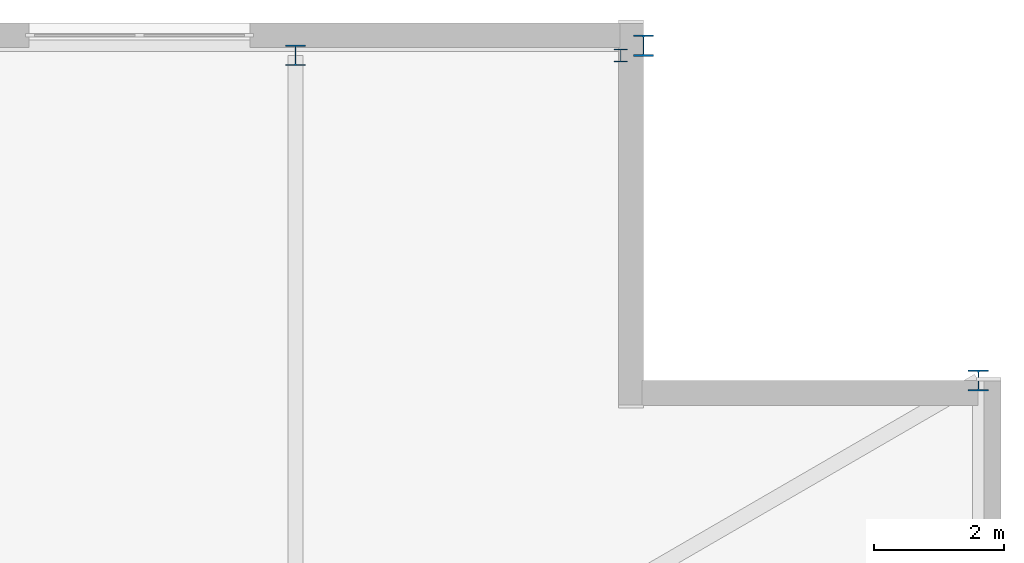
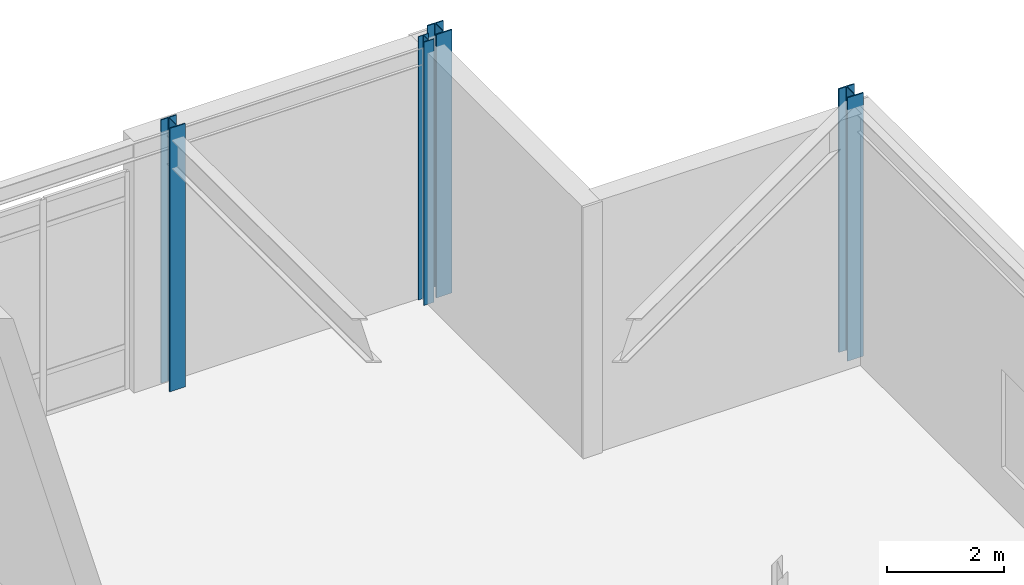
# One storey, part 6 of 14: 4 columns.
"""IFC4 building model written with IfcOpenShell, lengths in metres."""

from ifc_helpers import new_model, si_unit, direction, frame, origin, origin_2d, place, context, subcontext, project, spatial, i_section, extrude, material, material_profile, profile_set, type_object, element, save


model = new_model("IFC4")

# Units and contexts
model_context = context("Model", 3, precision=1e-05, world=origin(), true_north=direction((0.0, 1.0)))
body_context = subcontext(model_context, "Body", "Model", "MODEL_VIEW")
ifc_project = project(units=[si_unit("LENGTHUNIT", "METRE"), si_unit("AREAUNIT", "SQUARE_METRE"), si_unit("VOLUMEUNIT", "CUBIC_METRE"), si_unit("PLANEANGLEUNIT", "RADIAN"), si_unit("MASSUNIT", "GRAM", prefix="KILO")], contexts=[model_context])

# Site, building, storey
site_placement = place(None, origin())
site = spatial("IfcSite", under=ifc_project, at=site_placement, CompositionType="ELEMENT")
building_placement = place(site_placement, origin())
building = spatial("IfcBuilding", under=site, at=building_placement, Name="Cairnveth Concourse Tower", CompositionType="ELEMENT")
storey_placement = place(building_placement, frame((0.0, 0.0, 330.0)))
storey = spatial("IfcBuildingStorey", under=building, at=storey_placement, Name="L90", CompositionType="ELEMENT", Elevation=330.0)

# Columns
ifc_material = material(Name="Steel Grade 350", Category="steel")
ifc_material_profile_1 = material_profile(ifc_material, i_section(OverallWidth=0.202880859375, OverallDepth=0.202880859375, WebThickness=0.00927734375, FlangeThickness=0.01416015625, FilletRadius=0.010009765625, at=origin_2d()), Name="200UC59.5")
ifc_profile_set_1 = profile_set([ifc_material_profile_1], Name="Steel Grade 350")
column_type_1 = type_object("IfcColumnType", Name="PILASTER STEEL COLUMN 200UC59.5", PredefinedType="PILASTER", material=ifc_profile_set_1)
column_1_placement = place(storey_placement, frame((67.14990234375, 59.5, 0.0), z_axis=(0.0, 0.0, 1.0), x_axis=(1.0, 0.0, 0.0)))
element("IfcColumn", 1, at=column_1_placement, inside=storey, type_object=column_type_1, Name="Column CRR-E4 L90", PredefinedType="PILASTER", context=body_context, shape_type="SweptSolid", body=[
    extrude(i_section(OverallWidth=0.202880859375, OverallDepth=0.202880859375, WebThickness=0.00927734375, FlangeThickness=0.01416015625, FilletRadius=0.010009765625, at=origin_2d()), origin(), (0.0, 0.0, 1.0), 5.5),
])
ifc_material_profile_2 = material_profile(ifc_material, i_section(OverallWidth=0.306884765625, OverallDepth=0.31494140625, WebThickness=0.011962890625, FlangeThickness=0.018798828125, FilletRadius=0.01611328125, at=origin_2d()), Name="310UC118")
ifc_profile_set_2 = profile_set([ifc_material_profile_2], Name="Steel Grade 350")
column_type_2 = type_object("IfcColumnType", Name="UNIVERSAL STEEL COLUMN 310UC118", PredefinedType="COLUMN", material=ifc_profile_set_2)
column_2_placement = place(storey_placement, frame((62.14990234375, 59.5, 0.0), z_axis=(0.0, 0.0, 1.0), x_axis=(1.0, 0.0, 0.0)))
element("IfcColumn", 2, at=column_2_placement, inside=storey, type_object=column_type_2, Name="Column CRM-E4 L90", PredefinedType="COLUMN", context=body_context, shape_type="SweptSolid", body=[
    extrude(i_section(OverallWidth=0.306884765625, OverallDepth=0.31494140625, WebThickness=0.011962890625, FlangeThickness=0.018798828125, FilletRadius=0.01611328125, at=origin_2d()), origin(), (0.0, 0.0, 1.0), 5.5),
])
ifc_material_profile_3 = material_profile(ifc_material, i_section(OverallWidth=0.31103515625, OverallDepth=0.326904296875, WebThickness=0.015625, FlangeThickness=0.02490234375, FilletRadius=0.01611328125, at=origin_2d()), Name="310UC158")
ifc_profile_set_3 = profile_set([ifc_material_profile_3], Name="Steel Grade 350")
column_type_3 = type_object("IfcColumnType", Name="UNIVERSAL STEEL COLUMN 310UC158", PredefinedType="COLUMN", material=ifc_profile_set_3)
for number, where, z_axis, x_axis, name in (
    (3, (72.64990234375, 54.5, 0.0), (0.0, 0.0, 1.0), (1.0, 0.0, 0.0), "Column CR-E4 L90"),
    (4, (67.5, 59.64990234375, 0.0), (0.0, 0.0, 1.0), (1.0, 0.0, 0.0), "Column CR-N1 L90"),
):
    element("IfcColumn", number, at=place(storey_placement, frame(where, z_axis=z_axis, x_axis=x_axis)), inside=storey, type_object=column_type_3, Name=name, PredefinedType="COLUMN", context=body_context, shape_type="SweptSolid", body=[
        extrude(i_section(OverallWidth=0.31103515625, OverallDepth=0.326904296875, WebThickness=0.015625, FlangeThickness=0.02490234375, FilletRadius=0.01611328125, at=origin_2d()), origin(), (0.0, 0.0, 1.0), 5.5),
    ])

save(model, "model.ifc")
